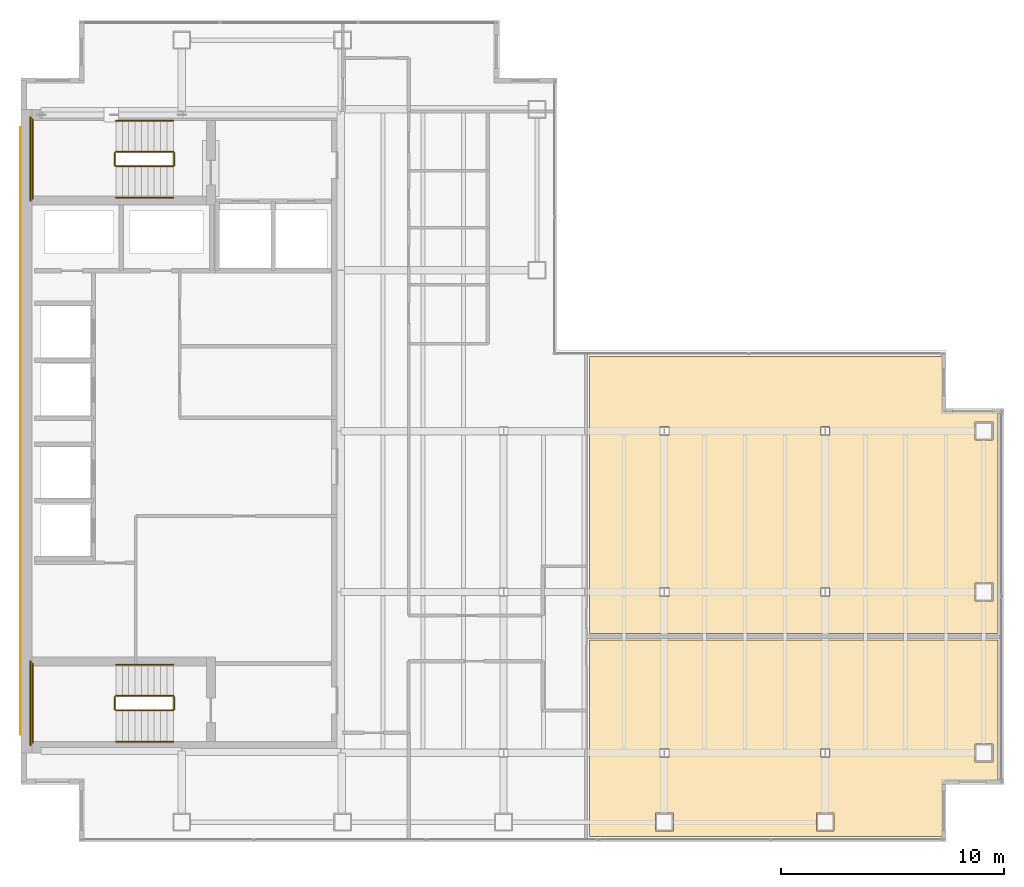
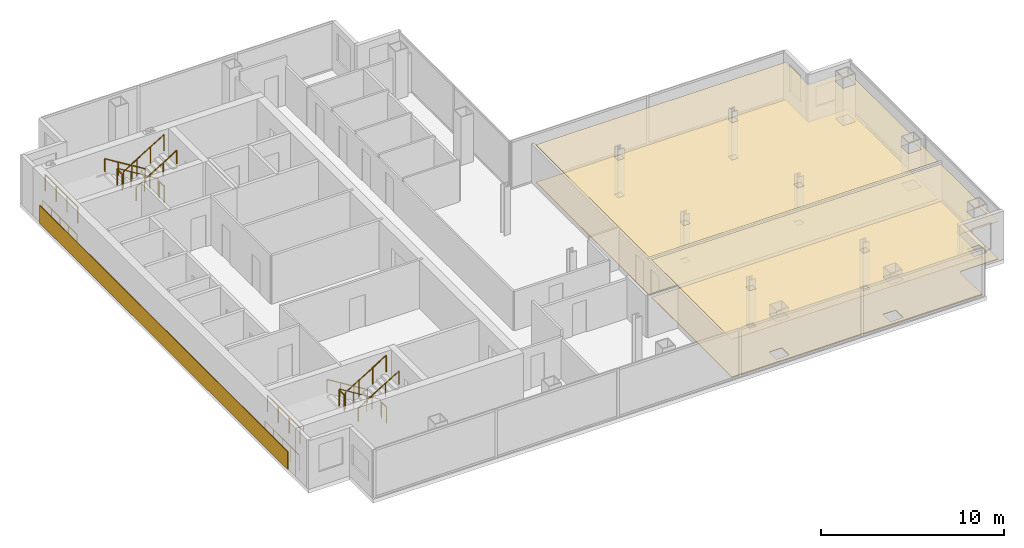
# One storey, part 23 of 23: 16 railings, 5 coverings.
"""IFC4 building model written with IfcOpenShell, lengths in metres."""

from ifc_helpers import new_model, si_unit, direction, frame, origin, origin_2d, place, context, subcontext, project, spatial, polyline, circle, outline, extrude, material, layer, layer_set, type_object, element, save


model = new_model("IFC4")

# Units and contexts
model_context = context("Model", 3, precision=1e-05, world=origin(), true_north=direction((0.0, 1.0)))
body_context = subcontext(model_context, "Body", "Model", "MODEL_VIEW")
ifc_project = project(units=[si_unit("LENGTHUNIT", "METRE"), si_unit("AREAUNIT", "SQUARE_METRE"), si_unit("VOLUMEUNIT", "CUBIC_METRE"), si_unit("PLANEANGLEUNIT", "RADIAN"), si_unit("MASSUNIT", "GRAM", prefix="KILO")], contexts=[model_context])

# Site, building, storey
site_placement = place(None, origin())
site = spatial("IfcSite", under=ifc_project, at=site_placement, CompositionType="ELEMENT")
building_placement = place(site_placement, origin())
building = spatial("IfcBuilding", under=site, at=building_placement, Name="Cobrela Telecom Tower", CompositionType="ELEMENT")
storey_placement = place(building_placement, frame((0.0, 0.0, 197.75)))
storey = spatial("IfcBuildingStorey", under=building, at=storey_placement, Name="L50", CompositionType="ELEMENT", Elevation=197.75)

# Coverings
ifc_material_1 = material(Name="Mineral Fibre Acoustic Ceiling Tile")
ifc_layer_1 = layer(ifc_material_1, 0.02490234375)
ifc_layer_set_1 = layer_set([ifc_layer_1], Name="Mineral Fibre Acoustic Ceiling Tile")
covering_type_1 = type_object("IfcCoveringType", Name="COV-CEIL-ACT", PredefinedType="CEILING", material=ifc_layer_set_1)
covering_1_placement = place(storey_placement, frame((0.0, 0.0, 2.52001953125)))
element("IfcCovering", 1, at=covering_1_placement, inside=storey, type_object=covering_type_1, Name="L50 Systems Engineering Studio 7 Suspended Acoustic Ceiling", PredefinedType="CEILING", context=body_context, shape_type="SweptSolid", body=[
    extrude(outline(polyline([(41.27001953125, 24.93994140625), (41.27001953125, 22.60888671875), (41.2705078125, 22.59619140625), (41.272705078125, 22.582763671875), (41.27587890625, 22.5693359375), (41.280517578125, 22.556396484375), (41.28662109375, 22.5439453125), (41.293701171875, 22.531982421875), (41.3017578125, 22.521240234375), (41.31103515625, 22.510986328125), (41.3212890625, 22.501708984375), (41.33203125, 22.49365234375), (41.343994140625, 22.486572265625), (41.3564453125, 22.480712890625), (41.369384765625, 22.47607421875), (41.3828125, 22.47265625), (41.396240234375, 22.470703125), (41.408935546875, 22.469970703125), (43.739990234375, 22.469970703125), (43.739990234375, 12.5400390625), (25.43994140625, 12.5400390625), (25.43994140625, 24.93994140625), (41.27001953125, 24.93994140625)]), holes=[polyline([(28.99951171875, 14.596923828125), (28.6005859375, 14.596923828125), (28.6005859375, 14.202880859375), (28.99951171875, 14.202880859375), (28.99951171875, 14.596923828125)]), polyline([(36.199462890625, 14.202880859375), (36.199462890625, 14.596923828125), (35.800537109375, 14.596923828125), (35.800537109375, 14.202880859375), (36.199462890625, 14.202880859375)]), polyline([(43.5, 14.0), (43.5, 14.800048828125), (42.699951171875, 14.800048828125), (42.699951171875, 14.0), (43.5, 14.0)]), polyline([(28.99951171875, 21.797119140625), (28.6005859375, 21.797119140625), (28.6005859375, 21.403076171875), (28.99951171875, 21.403076171875), (28.99951171875, 21.797119140625)]), polyline([(36.199462890625, 21.403076171875), (36.199462890625, 21.797119140625), (35.800537109375, 21.797119140625), (35.800537109375, 21.403076171875), (36.199462890625, 21.403076171875)]), polyline([(43.5, 21.199951171875), (43.5, 22.0), (42.699951171875, 22.0), (42.699951171875, 21.199951171875), (43.5, 21.199951171875)])]), origin(), (0.0, 0.0, 1.0), 0.02490234375),
])
covering_2_placement = place(storey_placement, frame((0.0, 0.0, 2.52001953125)))
element("IfcCovering", 2, at=covering_2_placement, inside=storey, type_object=covering_type_1, Name="L50 Security Control Room 6 Suspended Acoustic Ceiling", PredefinedType="CEILING", context=body_context, shape_type="SweptSolid", body=[
    extrude(outline(polyline([(43.739990234375, 5.929931640625), (41.408935546875, 5.929931640625), (41.396240234375, 5.929443359375), (41.3828125, 5.927490234375), (41.369384765625, 5.924072265625), (41.3564453125, 5.91943359375), (41.343994140625, 5.91357421875), (41.33203125, 5.906494140625), (41.3212890625, 5.898193359375), (41.31103515625, 5.888916015625), (41.3017578125, 5.87890625), (41.293701171875, 5.867919921875), (41.28662109375, 5.85595703125), (41.280517578125, 5.843505859375), (41.27587890625, 5.83056640625), (41.272705078125, 5.8173828125), (41.2705078125, 5.8037109375), (41.27001953125, 5.791015625), (41.27001953125, 3.4599609375), (25.43994140625, 3.4599609375), (25.43994140625, 12.260009765625), (43.739990234375, 12.260009765625), (43.739990234375, 5.929931640625)]), holes=[polyline([(29.199951171875, 3.699951171875), (29.199951171875, 4.5), (28.39990234375, 4.5), (28.39990234375, 3.699951171875), (29.199951171875, 3.699951171875)]), polyline([(36.39990234375, 4.5), (35.60009765625, 4.5), (35.60009765625, 3.699951171875), (36.39990234375, 3.699951171875), (36.39990234375, 4.5)]), polyline([(28.99951171875, 7.39697265625), (28.6005859375, 7.39697265625), (28.6005859375, 7.0029296875), (28.99951171875, 7.0029296875), (28.99951171875, 7.39697265625)]), polyline([(36.199462890625, 7.0029296875), (36.199462890625, 7.39697265625), (35.800537109375, 7.39697265625), (35.800537109375, 7.0029296875), (36.199462890625, 7.0029296875)]), polyline([(43.5, 6.800048828125), (43.5, 7.60009765625), (42.699951171875, 7.60009765625), (42.699951171875, 6.800048828125), (43.5, 6.800048828125)])]), origin(), (0.0, 0.0, 1.0), 0.02490234375),
])
ifc_material_2 = material(Name="Bogota Terracotta Architectural Stone", Category="masonry")
ifc_layer_2 = layer(ifc_material_2, 0.0400390625)
ifc_layer_set_2 = layer_set([ifc_layer_2], Name="Bogota Terracotta Architectural Stone")
covering_type_2 = type_object("IfcCoveringType", Name="COV-CLAD-TERRA", PredefinedType="CLADDING", material=ifc_layer_set_2)
covering_3_placement = place(storey_placement, origin())
element("IfcCovering", 3, at=covering_3_placement, inside=storey, type_object=covering_type_2, Name="L50 West Core Terracotta Spandrel Cladding Band", PredefinedType="CLADDING", context=body_context, shape_type="SweptSolid", body=[
    extrude(outline(polyline([(-0.0400390625, 8.0), (0.0, 8.0), (0.0, 35.199951171875), (-0.0400390625, 35.199951171875), (-0.0400390625, 8.0)])), origin(), (0.0, 0.0, 1.0), 1.199951171875),
])
ifc_material_3 = material(Name="Honed Colombian Basalt Stone", Category="masonry")
ifc_layer_3 = layer(ifc_material_3, 0.0400390625)
ifc_layer_set_3 = layer_set([ifc_layer_3], Name="Honed Colombian Basalt Stone")
covering_type_3 = type_object("IfcCoveringType", Name="COV-FLR-STONE", PredefinedType="FLOORING", material=ifc_layer_set_3)
covering_4_placement = place(storey_placement, origin())
element("IfcCovering", 4, at=covering_4_placement, inside=storey, type_object=covering_type_3, Name="L50 Systems Engineering Studio 7 Raised Technical Flooring", PredefinedType="FLOORING", context=body_context, shape_type="SweptSolid", body=[
    extrude(outline(polyline([(41.27001953125, 24.93994140625), (41.27001953125, 22.60888671875), (41.2705078125, 22.59619140625), (41.272705078125, 22.582763671875), (41.27587890625, 22.5693359375), (41.280517578125, 22.556396484375), (41.28662109375, 22.5439453125), (41.293701171875, 22.531982421875), (41.3017578125, 22.521240234375), (41.31103515625, 22.510986328125), (41.3212890625, 22.501708984375), (41.33203125, 22.49365234375), (41.343994140625, 22.486572265625), (41.3564453125, 22.480712890625), (41.369384765625, 22.47607421875), (41.3828125, 22.47265625), (41.396240234375, 22.470703125), (41.408935546875, 22.469970703125), (43.739990234375, 22.469970703125), (43.739990234375, 12.5400390625), (25.43994140625, 12.5400390625), (25.43994140625, 24.93994140625), (41.27001953125, 24.93994140625)]), holes=[polyline([(28.99951171875, 14.596923828125), (28.6005859375, 14.596923828125), (28.6005859375, 14.202880859375), (28.99951171875, 14.202880859375), (28.99951171875, 14.596923828125)]), polyline([(36.199462890625, 14.202880859375), (36.199462890625, 14.596923828125), (35.800537109375, 14.596923828125), (35.800537109375, 14.202880859375), (36.199462890625, 14.202880859375)]), polyline([(43.5, 14.0), (43.5, 14.800048828125), (42.699951171875, 14.800048828125), (42.699951171875, 14.0), (43.5, 14.0)]), polyline([(28.99951171875, 21.797119140625), (28.6005859375, 21.797119140625), (28.6005859375, 21.403076171875), (28.99951171875, 21.403076171875), (28.99951171875, 21.797119140625)]), polyline([(36.199462890625, 21.403076171875), (36.199462890625, 21.797119140625), (35.800537109375, 21.797119140625), (35.800537109375, 21.403076171875), (36.199462890625, 21.403076171875)]), polyline([(43.5, 21.199951171875), (43.5, 22.0), (42.699951171875, 22.0), (42.699951171875, 21.199951171875), (43.5, 21.199951171875)])]), origin(), (0.0, 0.0, 1.0), 0.0400390625),
])
covering_5_placement = place(storey_placement, origin())
element("IfcCovering", 5, at=covering_5_placement, inside=storey, type_object=covering_type_3, Name="L50 Security Control Room 6 Raised Technical Flooring", PredefinedType="FLOORING", context=body_context, shape_type="SweptSolid", body=[
    extrude(outline(polyline([(43.739990234375, 5.929931640625), (41.408935546875, 5.929931640625), (41.396240234375, 5.929443359375), (41.3828125, 5.927490234375), (41.369384765625, 5.924072265625), (41.3564453125, 5.91943359375), (41.343994140625, 5.91357421875), (41.33203125, 5.906494140625), (41.3212890625, 5.898193359375), (41.31103515625, 5.888916015625), (41.3017578125, 5.87890625), (41.293701171875, 5.867919921875), (41.28662109375, 5.85595703125), (41.280517578125, 5.843505859375), (41.27587890625, 5.83056640625), (41.272705078125, 5.8173828125), (41.2705078125, 5.8037109375), (41.27001953125, 5.791015625), (41.27001953125, 3.4599609375), (25.43994140625, 3.4599609375), (25.43994140625, 12.260009765625), (43.739990234375, 12.260009765625), (43.739990234375, 5.929931640625)]), holes=[polyline([(29.199951171875, 3.699951171875), (29.199951171875, 4.5), (28.39990234375, 4.5), (28.39990234375, 3.699951171875), (29.199951171875, 3.699951171875)]), polyline([(36.39990234375, 4.5), (35.60009765625, 4.5), (35.60009765625, 3.699951171875), (36.39990234375, 3.699951171875), (36.39990234375, 4.5)]), polyline([(28.99951171875, 7.39697265625), (28.6005859375, 7.39697265625), (28.6005859375, 7.0029296875), (28.99951171875, 7.0029296875), (28.99951171875, 7.39697265625)]), polyline([(36.199462890625, 7.0029296875), (36.199462890625, 7.39697265625), (35.800537109375, 7.39697265625), (35.800537109375, 7.0029296875), (36.199462890625, 7.0029296875)]), polyline([(43.5, 6.800048828125), (43.5, 7.60009765625), (42.699951171875, 7.60009765625), (42.699951171875, 6.800048828125), (43.5, 6.800048828125)])]), origin(), (0.0, 0.0, 1.0), 0.0400390625),
])

# Railings
ifc_material_4 = material(Name="Steel ASTM A36", Category="steel")
railing_type_1 = type_object("IfcRailingType", Name="RAIL-GUARD-1100", PredefinedType="GUARDRAIL", material=ifc_material_4)
railing_1_placement = place(storey_placement, frame((6.820068359375, 34.10009765625, 0.175048828125)))
element("IfcRailing", 6, at=railing_1_placement, inside=storey, type_object=railing_type_1, Name="L50 ST1 stair guard 1", PredefinedType="GUARDRAIL", context=body_context, shape_type="SweptSolid", body=[
    extrude(circle(Radius=0.02392578125, at=origin_2d()), frame((0.0, 0.0, 1.076171875), z_axis=(-0.852195335862, 0.0, 0.523223766217), x_axis=(0.0, -1.0, 0.0)), (0.0, 0.0, 1.0), 3.010009765625),
    extrude(circle(Radius=0.02099609375, at=origin_2d()), origin(), (0.0, 0.0, 1.0), 1.052001953125),
    extrude(circle(Radius=0.02099609375, at=origin_2d()), frame((-0.85498046875, 0.0, 0.52490234375)), (0.0, 0.0, 1.0), 1.052001953125),
    extrude(circle(Radius=0.02099609375, at=origin_2d()), frame((-1.710205078125, 0.0, 1.050048828125)), (0.0, 0.0, 1.0), 1.052001953125),
    extrude(circle(Radius=0.02099609375, at=origin_2d()), frame((-2.565185546875, 0.0, 1.574951171875)), (0.0, 0.0, 1.0), 1.052001953125),
])
railing_2_placement = place(storey_placement, frame((4.205078125, 34.050048828125, 1.75)))
element("IfcRailing", 7, at=railing_2_placement, inside=storey, type_object=railing_type_1, Name="L50 ST1 stair guard 2", PredefinedType="GUARDRAIL", context=body_context, shape_type="SweptSolid", body=[
    extrude(circle(Radius=0.02392578125, at=origin_2d()), frame((0.0, 0.0, 1.076171875), z_axis=(0.0, -1.0, 0.0), x_axis=(1.0, 0.0, 0.0)), (0.0, 0.0, 1.0), 0.550048828125),
    extrude(circle(Radius=0.02099609375, at=origin_2d()), origin(), (0.0, 0.0, 1.0), 1.052001953125),
    extrude(circle(Radius=0.02099609375, at=origin_2d()), frame((0.0, -0.550048828125, 0.0)), (0.0, 0.0, 1.0), 1.052001953125),
])
railing_3_placement = place(storey_placement, frame((0.530029296875, 35.550048828125, 1.75)))
element("IfcRailing", 8, at=railing_3_placement, inside=storey, type_object=railing_type_1, Name="L50 ST1 stair guard 3", PredefinedType="GUARDRAIL", context=body_context, shape_type="SweptSolid", body=[
    extrude(circle(Radius=0.02392578125, at=origin_2d()), frame((0.0, 0.0, 1.076171875), z_axis=(0.0, -1.0, 0.0), x_axis=(1.0, 0.0, 0.0)), (0.0, 0.0, 1.0), 3.550048828125),
    extrude(circle(Radius=0.02099609375, at=origin_2d()), origin(), (0.0, 0.0, 1.0), 1.052001953125),
    extrude(circle(Radius=0.02099609375, at=origin_2d()), frame((0.0, -1.183349609375, 0.0)), (0.0, 0.0, 1.0), 1.052001953125),
    extrude(circle(Radius=0.02099609375, at=origin_2d()), frame((0.0, -2.36669921875, 0.0)), (0.0, 0.0, 1.0), 1.052001953125),
    extrude(circle(Radius=0.02099609375, at=origin_2d()), frame((0.0, -3.550048828125, 0.0)), (0.0, 0.0, 1.0), 1.052001953125),
])
railing_4_placement = place(storey_placement, frame((4.2548828125, 33.449951171875, 1.925048828125)))
element("IfcRailing", 9, at=railing_4_placement, inside=storey, type_object=railing_type_1, Name="L50 ST1 stair guard 4", PredefinedType="GUARDRAIL", context=body_context, shape_type="SweptSolid", body=[
    extrude(circle(Radius=0.02392578125, at=origin_2d()), frame((0.0, 0.0, 1.076171875), z_axis=(0.852195335862, 0.0, 0.523223766217), x_axis=(0.0, 1.0, 0.0)), (0.0, 0.0, 1.0), 3.010009765625),
    extrude(circle(Radius=0.02099609375, at=origin_2d()), origin(), (0.0, 0.0, 1.0), 1.052001953125),
    extrude(circle(Radius=0.02099609375, at=origin_2d()), frame((0.85498046875, 0.0, 0.52490234375)), (0.0, 0.0, 1.0), 1.052001953125),
    extrude(circle(Radius=0.02099609375, at=origin_2d()), frame((1.710205078125, 0.0, 1.050048828125)), (0.0, 0.0, 1.0), 1.052001953125),
    extrude(circle(Radius=0.02099609375, at=origin_2d()), frame((2.565185546875, 0.0, 1.574951171875)), (0.0, 0.0, 1.0), 1.052001953125),
])
railing_5_placement = place(storey_placement, frame((6.8701171875, 34.050048828125, 0.0)))
element("IfcRailing", 10, at=railing_5_placement, inside=storey, type_object=railing_type_1, Name="L50 ST1 stair guard 5", PredefinedType="GUARDRAIL", context=body_context, shape_type="SweptSolid", body=[
    extrude(circle(Radius=0.02392578125, at=origin_2d()), frame((0.0, 0.0, 1.076171875), z_axis=(0.0, -1.0, 0.0), x_axis=(1.0, 0.0, 0.0)), (0.0, 0.0, 1.0), 0.550048828125),
    extrude(circle(Radius=0.02099609375, at=origin_2d()), origin(), (0.0, 0.0, 1.0), 1.052001953125),
    extrude(circle(Radius=0.02099609375, at=origin_2d()), frame((0.0, -0.550048828125, 0.0)), (0.0, 0.0, 1.0), 1.052001953125),
])
railing_6_placement = place(storey_placement, frame((0.429931640625, 35.64990234375, 0.0)))
element("IfcRailing", 11, at=railing_6_placement, inside=storey, type_object=railing_type_1, Name="L50 ST1 stair guard 6", PredefinedType="GUARDRAIL", context=body_context, shape_type="SweptSolid", body=[
    extrude(circle(Radius=0.02392578125, at=origin_2d()), frame((0.0, 0.0, 1.076171875), z_axis=(0.0, -1.0, 0.0), x_axis=(1.0, 0.0, 0.0)), (0.0, 0.0, 1.0), 3.75),
    extrude(circle(Radius=0.02099609375, at=origin_2d()), origin(), (0.0, 0.0, 1.0), 1.052001953125),
    extrude(circle(Radius=0.02099609375, at=origin_2d()), frame((0.0, -0.9375, 0.0)), (0.0, 0.0, 1.0), 1.052001953125),
    extrude(circle(Radius=0.02099609375, at=origin_2d()), frame((0.0, -1.875, 0.0)), (0.0, 0.0, 1.0), 1.052001953125),
    extrude(circle(Radius=0.02099609375, at=origin_2d()), frame((0.0, -2.8125, 0.0)), (0.0, 0.0, 1.0), 1.052001953125),
    extrude(circle(Radius=0.02099609375, at=origin_2d()), frame((0.0, -3.75, 0.0)), (0.0, 0.0, 1.0), 1.052001953125),
])
railing_7_placement = place(storey_placement, frame((6.820068359375, 9.75, 0.175048828125)))
element("IfcRailing", 12, at=railing_7_placement, inside=storey, type_object=railing_type_1, Name="L50 ST2 stair guard 1", PredefinedType="GUARDRAIL", context=body_context, shape_type="SweptSolid", body=[
    extrude(circle(Radius=0.02392578125, at=origin_2d()), frame((0.0, 0.0, 1.076171875), z_axis=(-0.852195335862, 0.0, 0.523223766217), x_axis=(0.0, -1.0, 0.0)), (0.0, 0.0, 1.0), 3.010009765625),
    extrude(circle(Radius=0.02099609375, at=origin_2d()), origin(), (0.0, 0.0, 1.0), 1.052001953125),
    extrude(circle(Radius=0.02099609375, at=origin_2d()), frame((-0.85498046875, 0.0, 0.52490234375)), (0.0, 0.0, 1.0), 1.052001953125),
    extrude(circle(Radius=0.02099609375, at=origin_2d()), frame((-1.710205078125, 0.0, 1.050048828125)), (0.0, 0.0, 1.0), 1.052001953125),
    extrude(circle(Radius=0.02099609375, at=origin_2d()), frame((-2.565185546875, 0.0, 1.574951171875)), (0.0, 0.0, 1.0), 1.052001953125),
])
railing_8_placement = place(storey_placement, frame((4.205078125, 9.699951171875, 1.75)))
element("IfcRailing", 13, at=railing_8_placement, inside=storey, type_object=railing_type_1, Name="L50 ST2 stair guard 2", PredefinedType="GUARDRAIL", context=body_context, shape_type="SweptSolid", body=[
    extrude(circle(Radius=0.02392578125, at=origin_2d()), frame((0.0, 0.0, 1.076171875), z_axis=(0.0, -1.0, 0.0), x_axis=(1.0, 0.0, 0.0)), (0.0, 0.0, 1.0), 0.550048828125),
    extrude(circle(Radius=0.02099609375, at=origin_2d()), origin(), (0.0, 0.0, 1.0), 1.052001953125),
    extrude(circle(Radius=0.02099609375, at=origin_2d()), frame((0.0, -0.550048828125, 0.0)), (0.0, 0.0, 1.0), 1.052001953125),
])
railing_9_placement = place(storey_placement, frame((0.530029296875, 11.199951171875, 1.75)))
element("IfcRailing", 14, at=railing_9_placement, inside=storey, type_object=railing_type_1, Name="L50 ST2 stair guard 3", PredefinedType="GUARDRAIL", context=body_context, shape_type="SweptSolid", body=[
    extrude(circle(Radius=0.02392578125, at=origin_2d()), frame((0.0, 0.0, 1.076171875), z_axis=(0.0, -1.0, 0.0), x_axis=(1.0, 0.0, 0.0)), (0.0, 0.0, 1.0), 3.550048828125),
    extrude(circle(Radius=0.02099609375, at=origin_2d()), origin(), (0.0, 0.0, 1.0), 1.052001953125),
    extrude(circle(Radius=0.02099609375, at=origin_2d()), frame((0.0, -1.183349609375, 0.0)), (0.0, 0.0, 1.0), 1.052001953125),
    extrude(circle(Radius=0.02099609375, at=origin_2d()), frame((0.0, -2.36669921875, 0.0)), (0.0, 0.0, 1.0), 1.052001953125),
    extrude(circle(Radius=0.02099609375, at=origin_2d()), frame((0.0, -3.550048828125, 0.0)), (0.0, 0.0, 1.0), 1.052001953125),
])
railing_10_placement = place(storey_placement, frame((4.2548828125, 9.10009765625, 1.925048828125)))
element("IfcRailing", 15, at=railing_10_placement, inside=storey, type_object=railing_type_1, Name="L50 ST2 stair guard 4", PredefinedType="GUARDRAIL", context=body_context, shape_type="SweptSolid", body=[
    extrude(circle(Radius=0.02392578125, at=origin_2d()), frame((0.0, 0.0, 1.076171875), z_axis=(0.852195335862, 0.0, 0.523223766217), x_axis=(0.0, 1.0, 0.0)), (0.0, 0.0, 1.0), 3.010009765625),
    extrude(circle(Radius=0.02099609375, at=origin_2d()), origin(), (0.0, 0.0, 1.0), 1.052001953125),
    extrude(circle(Radius=0.02099609375, at=origin_2d()), frame((0.85498046875, 0.0, 0.52490234375)), (0.0, 0.0, 1.0), 1.052001953125),
    extrude(circle(Radius=0.02099609375, at=origin_2d()), frame((1.710205078125, 0.0, 1.050048828125)), (0.0, 0.0, 1.0), 1.052001953125),
    extrude(circle(Radius=0.02099609375, at=origin_2d()), frame((2.565185546875, 0.0, 1.574951171875)), (0.0, 0.0, 1.0), 1.052001953125),
])
railing_11_placement = place(storey_placement, frame((6.8701171875, 9.699951171875, 0.0)))
element("IfcRailing", 16, at=railing_11_placement, inside=storey, type_object=railing_type_1, Name="L50 ST2 stair guard 5", PredefinedType="GUARDRAIL", context=body_context, shape_type="SweptSolid", body=[
    extrude(circle(Radius=0.02392578125, at=origin_2d()), frame((0.0, 0.0, 1.076171875), z_axis=(0.0, -1.0, 0.0), x_axis=(1.0, 0.0, 0.0)), (0.0, 0.0, 1.0), 0.550048828125),
    extrude(circle(Radius=0.02099609375, at=origin_2d()), origin(), (0.0, 0.0, 1.0), 1.052001953125),
    extrude(circle(Radius=0.02099609375, at=origin_2d()), frame((0.0, -0.550048828125, 0.0)), (0.0, 0.0, 1.0), 1.052001953125),
])
railing_12_placement = place(storey_placement, frame((0.429931640625, 11.300048828125, 0.0)))
element("IfcRailing", 17, at=railing_12_placement, inside=storey, type_object=railing_type_1, Name="L50 ST2 stair guard 6", PredefinedType="GUARDRAIL", context=body_context, shape_type="SweptSolid", body=[
    extrude(circle(Radius=0.02392578125, at=origin_2d()), frame((0.0, 0.0, 1.076171875), z_axis=(0.0, -1.0, 0.0), x_axis=(1.0, 0.0, 0.0)), (0.0, 0.0, 1.0), 3.75),
    extrude(circle(Radius=0.02099609375, at=origin_2d()), origin(), (0.0, 0.0, 1.0), 1.052001953125),
    extrude(circle(Radius=0.02099609375, at=origin_2d()), frame((0.0, -0.9375, 0.0)), (0.0, 0.0, 1.0), 1.052001953125),
    extrude(circle(Radius=0.02099609375, at=origin_2d()), frame((0.0, -1.875, 0.0)), (0.0, 0.0, 1.0), 1.052001953125),
    extrude(circle(Radius=0.02099609375, at=origin_2d()), frame((0.0, -2.8125, 0.0)), (0.0, 0.0, 1.0), 1.052001953125),
    extrude(circle(Radius=0.02099609375, at=origin_2d()), frame((0.0, -3.75, 0.0)), (0.0, 0.0, 1.0), 1.052001953125),
])
railing_type_2 = type_object("IfcRailingType", Name="RAIL-HAND-920", PredefinedType="HANDRAIL", material=ifc_material_4)
railing_13_placement = place(storey_placement, frame((6.820068359375, 35.5, 0.175048828125)))
element("IfcRailing", 18, at=railing_13_placement, inside=storey, type_object=railing_type_2, Name="L50 ST1 stair handrail 1", PredefinedType="HANDRAIL", context=body_context, shape_type="SweptSolid", body=[
    extrude(circle(Radius=0.02392578125, at=origin_2d()), frame((0.0, 0.0, 0.8759765625), z_axis=(-0.852195335862, 0.0, 0.523223766217), x_axis=(0.0, -1.0, 0.0)), (0.0, 0.0, 1.0), 3.010009765625),
    extrude(circle(Radius=0.02099609375, at=origin_2d()), origin(), (0.0, 0.0, 1.0), 0.851806640625),
    extrude(circle(Radius=0.02099609375, at=origin_2d()), frame((-0.85498046875, 0.0, 0.52490234375)), (0.0, 0.0, 1.0), 0.851806640625),
    extrude(circle(Radius=0.02099609375, at=origin_2d()), frame((-1.710205078125, 0.0, 1.050048828125)), (0.0, 0.0, 1.0), 0.851806640625),
    extrude(circle(Radius=0.02099609375, at=origin_2d()), frame((-2.565185546875, 0.0, 1.574951171875)), (0.0, 0.0, 1.0), 0.851806640625),
])
railing_14_placement = place(storey_placement, frame((4.2548828125, 32.050048828125, 1.925048828125)))
element("IfcRailing", 19, at=railing_14_placement, inside=storey, type_object=railing_type_2, Name="L50 ST1 stair handrail 2", PredefinedType="HANDRAIL", context=body_context, shape_type="SweptSolid", body=[
    extrude(circle(Radius=0.02392578125, at=origin_2d()), frame((0.0, 0.0, 0.8759765625), z_axis=(0.852195335862, 0.0, 0.523223766217), x_axis=(0.0, 1.0, 0.0)), (0.0, 0.0, 1.0), 3.010009765625),
    extrude(circle(Radius=0.02099609375, at=origin_2d()), origin(), (0.0, 0.0, 1.0), 0.851806640625),
    extrude(circle(Radius=0.02099609375, at=origin_2d()), frame((0.85498046875, 0.0, 0.52490234375)), (0.0, 0.0, 1.0), 0.851806640625),
    extrude(circle(Radius=0.02099609375, at=origin_2d()), frame((1.710205078125, 0.0, 1.050048828125)), (0.0, 0.0, 1.0), 0.851806640625),
    extrude(circle(Radius=0.02099609375, at=origin_2d()), frame((2.565185546875, 0.0, 1.574951171875)), (0.0, 0.0, 1.0), 0.851806640625),
])
railing_15_placement = place(storey_placement, frame((6.820068359375, 11.14990234375, 0.175048828125)))
element("IfcRailing", 20, at=railing_15_placement, inside=storey, type_object=railing_type_2, Name="L50 ST2 stair handrail 1", PredefinedType="HANDRAIL", context=body_context, shape_type="SweptSolid", body=[
    extrude(circle(Radius=0.02392578125, at=origin_2d()), frame((0.0, 0.0, 0.8759765625), z_axis=(-0.852195335862, 0.0, 0.523223766217), x_axis=(0.0, -1.0, 0.0)), (0.0, 0.0, 1.0), 3.010009765625),
    extrude(circle(Radius=0.02099609375, at=origin_2d()), origin(), (0.0, 0.0, 1.0), 0.851806640625),
    extrude(circle(Radius=0.02099609375, at=origin_2d()), frame((-0.85498046875, 0.0, 0.52490234375)), (0.0, 0.0, 1.0), 0.851806640625),
    extrude(circle(Radius=0.02099609375, at=origin_2d()), frame((-1.710205078125, 0.0, 1.050048828125)), (0.0, 0.0, 1.0), 0.851806640625),
    extrude(circle(Radius=0.02099609375, at=origin_2d()), frame((-2.565185546875, 0.0, 1.574951171875)), (0.0, 0.0, 1.0), 0.851806640625),
])
railing_16_placement = place(storey_placement, frame((4.2548828125, 7.699951171875, 1.925048828125)))
element("IfcRailing", 21, at=railing_16_placement, inside=storey, type_object=railing_type_2, Name="L50 ST2 stair handrail 2", PredefinedType="HANDRAIL", context=body_context, shape_type="SweptSolid", body=[
    extrude(circle(Radius=0.02392578125, at=origin_2d()), frame((0.0, 0.0, 0.8759765625), z_axis=(0.852195335862, 0.0, 0.523223766217), x_axis=(0.0, 1.0, 0.0)), (0.0, 0.0, 1.0), 3.010009765625),
    extrude(circle(Radius=0.02099609375, at=origin_2d()), origin(), (0.0, 0.0, 1.0), 0.851806640625),
    extrude(circle(Radius=0.02099609375, at=origin_2d()), frame((0.85498046875, 0.0, 0.52490234375)), (0.0, 0.0, 1.0), 0.851806640625),
    extrude(circle(Radius=0.02099609375, at=origin_2d()), frame((1.710205078125, 0.0, 1.050048828125)), (0.0, 0.0, 1.0), 0.851806640625),
    extrude(circle(Radius=0.02099609375, at=origin_2d()), frame((2.565185546875, 0.0, 1.574951171875)), (0.0, 0.0, 1.0), 0.851806640625),
])

save(model, "model.ifc")
